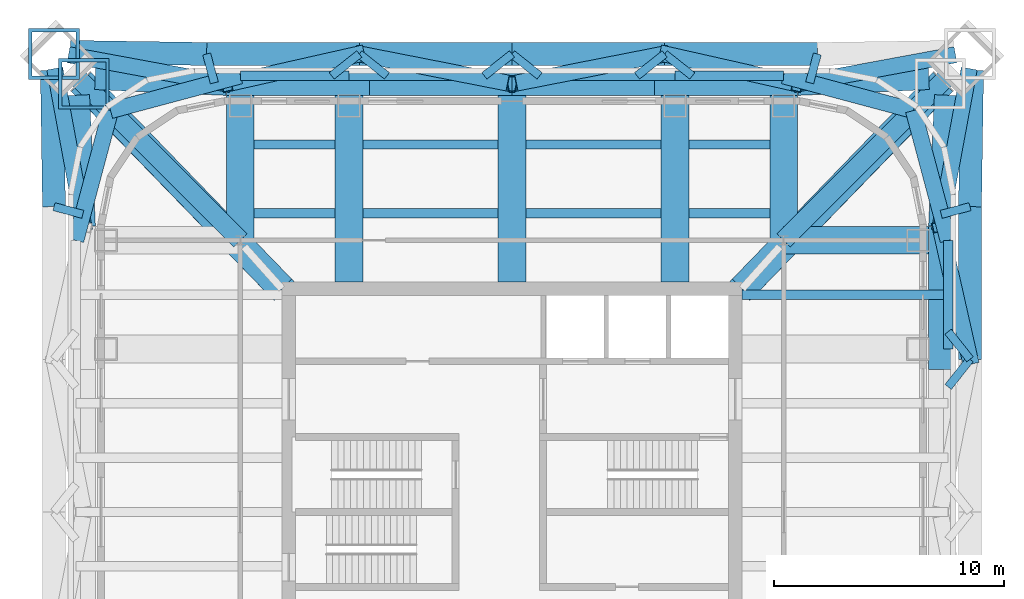
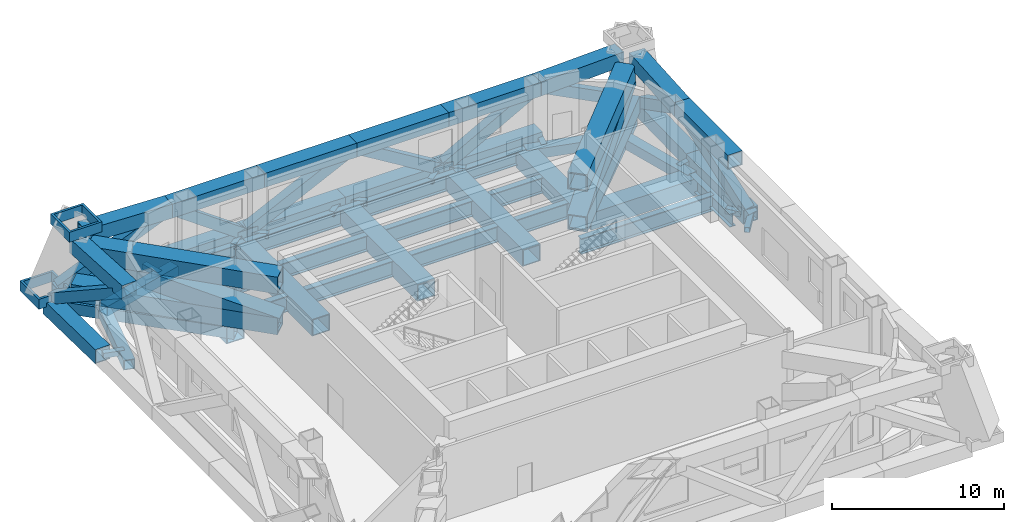
# One storey, part 3 of 9: 58 beams, 13 members.
"""IFC4 building model written with IfcOpenShell, lengths in metres."""

from ifc_helpers import new_model, si_unit, direction, frame, origin, origin_2d, place, context, subcontext, project, spatial, hollow_rectangle, i_section, extrude, material, material_profile, profile_set, type_object, element, save


model = new_model("IFC4")

# Units and contexts
model_context = context("Model", 3, precision=1e-05, world=origin(), true_north=direction((0.0, 1.0)))
body_context = subcontext(model_context, "Body", "Model", "MODEL_VIEW")
ifc_project = project(units=[si_unit("LENGTHUNIT", "METRE"), si_unit("AREAUNIT", "SQUARE_METRE"), si_unit("VOLUMEUNIT", "CUBIC_METRE"), si_unit("PLANEANGLEUNIT", "RADIAN"), si_unit("MASSUNIT", "GRAM", prefix="KILO")], contexts=[model_context])

# Site, building, storey
site_placement = place(None, origin())
site = spatial("IfcSite", under=ifc_project, at=site_placement, CompositionType="ELEMENT")
building_placement = place(site_placement, origin())
building = spatial("IfcBuilding", under=site, at=building_placement, Name="Turquesa Mirador Hotel Tower", CompositionType="ELEMENT")
storey_placement = place(building_placement, frame((0.0, 0.0, 221.300048828125)))
storey = spatial("IfcBuildingStorey", under=building, at=storey_placement, Name="L60", CompositionType="ELEMENT", Elevation=221.300048828125)

# Beams
ifc_material_1 = material(Name="Steel ASTM A572 Grade 50", Category="steel")
ifc_material_profile_1 = material_profile(ifc_material_1, hollow_rectangle(XDim=1.199951171875, YDim=1.199951171875, WallThickness=0.06005859375, at=origin_2d()), Name="BOX1200X1200X60")
ifc_profile_set_1 = profile_set([ifc_material_profile_1], Name="Steel ASTM A572 Grade 50")
beam_type_1 = type_object("IfcBeamType", Name="BEAM BOX1200X1200X60", PredefinedType="BEAM", material=ifc_profile_set_1)
for number, where, z_axis, x_axis, name in (
    (1, (47.919921875, 63.949951171875, -0.85009765625), (0.0, -1.0, 0.0), (1.0, 0.0, 0.0), "GD-L60-N--7.08"),
    (2, (62.080078125, 63.949951171875, -0.85009765625), (0.0, -1.0, 0.0), (1.0, 0.0, 0.0), "GD-L60-N-+7.08"),
    (3, (55.0, 63.949951171875, -0.85009765625), (0.0, -1.0, 0.0), (1.0, 0.0, 0.0), "GD-L60-N-+0.00"),
):
    element("IfcBeam", number, at=place(storey_placement, frame(where, z_axis=z_axis, x_axis=x_axis)), inside=storey, type_object=beam_type_1, Name=name, PredefinedType="BEAM", context=body_context, shape_type="SweptSolid", body=[
        extrude(hollow_rectangle(XDim=1.199951171875, YDim=1.199951171875, WallThickness=0.06005859375, at=origin_2d()), origin(), (0.0, 0.0, 1.0), 8.949951171875),
    ])
for number, where, z_axis, x_axis, name in (
    (4, (43.199951171875, 63.949951171875, -0.85009765625), (0.0, -1.0, 0.0), (1.0, 0.0, 0.0), "GK-L60-N--11.80"),
    (5, (66.800048828125, 63.949951171875, -0.85009765625), (0.0, -1.0, 0.0), (1.0, 0.0, 0.0), "GK-L60-N-+11.80"),
    (6, (73.949951171875, 56.800048828125, -0.85009765625), (-1.0, 0.0, 0.0), (0.0, -1.0, 0.0), "GK-L60-E-+11.80"),
):
    element("IfcBeam", number, at=place(storey_placement, frame(where, z_axis=z_axis, x_axis=x_axis)), inside=storey, type_object=beam_type_1, Name=name, PredefinedType="BEAM", context=body_context, shape_type="SweptSolid", body=[
        extrude(hollow_rectangle(XDim=1.199951171875, YDim=1.199951171875, WallThickness=0.06005859375, at=origin_2d()), origin(), (0.0, 0.0, 1.0), 7.14990234375),
    ])
ifc_material_2 = material(Name="Steel ASTM A572 Grade 50", Category="steel")
ifc_material_profile_2 = material_profile(ifc_material_2, hollow_rectangle(XDim=0.699951171875, YDim=0.699951171875, WallThickness=0.044921875, at=origin_2d()), Name="BOX700X700X45")
ifc_profile_set_2 = profile_set([ifc_material_profile_2], Name="Steel ASTM A572 Grade 50")
beam_type_2 = type_object("IfcBeamType", Name="BEAM BOX700X700X45", PredefinedType="BEAM", material=ifc_profile_set_2)
for number, where, z_axis, x_axis, name in (
    (7, (73.949951171875, 56.800048828125, -0.60009765625), (-0.258281892145, 0.966069595935, 0.0), (-0.966069595935, -0.258281892145, 0.0), "KE-L60-1-0"),
    (8, (72.441650390625, 62.441650390625, -0.60009765625), (-0.966069595935, 0.258281892145, 0.0), (-0.258281892145, -0.966069595935, 0.0), "KE-L60-1-1"),
    (9, (36.050048828125, 56.800048828125, -0.60009765625), (0.258281892145, 0.966069595935, 0.0), (-0.966069595935, 0.258281892145, 0.0), "KE-L60-2-0"),
    (10, (37.558349609375, 62.441650390625, -0.60009765625), (0.966069595935, 0.258281892145, 0.0), (-0.258281892145, 0.966069595935, 0.0), "KE-L60-2-1"),
):
    element("IfcBeam", number, at=place(storey_placement, frame(where, z_axis=z_axis, x_axis=x_axis)), inside=storey, type_object=beam_type_2, Name=name, PredefinedType="BEAM", context=body_context, shape_type="SweptSolid", body=[
        extrude(hollow_rectangle(XDim=0.699951171875, YDim=0.699951171875, WallThickness=0.044921875, at=origin_2d()), origin(), (0.0, 0.0, 1.0), 5.83984375),
    ])
ifc_material_3 = material(Name="Steel ASTM A572 Grade 50", Category="steel")
ifc_material_profile_3 = material_profile(ifc_material_3, hollow_rectangle(XDim=0.800048828125, YDim=0.800048828125, WallThickness=0.050048828125, at=origin_2d()), Name="BOX800X800X50")
ifc_profile_set_3 = profile_set([ifc_material_profile_3], Name="Steel ASTM A572 Grade 50")
beam_type_3 = type_object("IfcBeamType", Name="BEAM BOX800X800X50", PredefinedType="BEAM", material=ifc_profile_set_3)
for number, where, z_axis, x_axis, name in (
    (11, (66.800048828125, 56.800048828125, -0.650146484375), (0.707106781187, 0.707106781187, 0.0), (-0.707106781187, 0.707106781187, 0.0), "KD-L60-1"),
    (12, (43.199951171875, 56.800048828125, -0.650146484375), (-0.707106781187, 0.707106781187, 0.0), (-0.707106781187, -0.707106781187, 0.0), "KD-L60-2"),
):
    element("IfcBeam", number, at=place(storey_placement, frame(where, z_axis=z_axis, x_axis=x_axis)), inside=storey, type_object=beam_type_3, Name=name, PredefinedType="BEAM", context=body_context, shape_type="SweptSolid", body=[
        extrude(hollow_rectangle(XDim=0.800048828125, YDim=0.800048828125, WallThickness=0.050048828125, at=origin_2d()), origin(), (0.0, 0.0, 1.0), 10.080322265625),
    ])
ifc_material_4 = material(Name="Steel ASTM A992 Grade 50", Category="steel")
ifc_material_profile_4 = material_profile(ifc_material_4, i_section(OverallWidth=0.419189453125, OverallDepth=0.927001953125, WebThickness=0.019287109375, FlangeThickness=0.031982421875, at=origin_2d()), Name="W36X231")
ifc_profile_set_4 = profile_set([ifc_material_profile_4], Name="Steel ASTM A992 Grade 50")
beam_type_4 = type_object("IfcBeamType", Name="BEAM W36X231", PredefinedType="BEAM", material=ifc_profile_set_4)
for number, where, z_axis, x_axis, name in (
    (13, (43.199951171875, 63.949951171875, -0.713623046875), (1.0, 0.0, 0.0), (0.0, 1.0, 0.0), "EB-L60-N-L"),
    (14, (62.080078125, 63.949951171875, -0.713623046875), (1.0, 0.0, 0.0), (0.0, 1.0, 0.0), "EB-L60-N-R"),
    (15, (73.949951171875, 52.080078125, -0.713623046875), (0.0, 1.0, 0.0), (-1.0, 0.0, 0.0), "EB-L60-E-R"),
):
    element("IfcBeam", number, at=place(storey_placement, frame(where, z_axis=z_axis, x_axis=x_axis)), inside=storey, type_object=beam_type_4, Name=name, PredefinedType="BEAM", context=body_context, shape_type="SweptSolid", body=[
        extrude(i_section(OverallWidth=0.419189453125, OverallDepth=0.927001953125, WebThickness=0.019287109375, FlangeThickness=0.031982421875, at=origin_2d()), origin(), (0.0, 0.0, 1.0), 4.719970703125),
    ])
ifc_material_5 = material(Name="Steel ASTM A992 Grade 50", Category="steel")
ifc_material_profile_5 = material_profile(ifc_material_5, i_section(OverallWidth=0.40380859375, OverallDepth=1.11767578125, WebThickness=0.026123046875, FlangeThickness=0.044921875, at=origin_2d()), Name="W44X335")
ifc_profile_set_5 = profile_set([ifc_material_profile_5], Name="Steel ASTM A992 Grade 50")
beam_type_5 = type_object("IfcBeamType", Name="BEAM W44X335", PredefinedType="BEAM", material=ifc_profile_set_5)
beam_1_placement = place(storey_placement, frame((43.800048828125, 57.98291015625, -0.808837890625), z_axis=(1.0, 0.0, 0.0), x_axis=(0.0, 1.0, 0.0)))
element("IfcBeam", 16, at=beam_1_placement, inside=storey, type_object=beam_type_5, Name="IB-L60-N-1-0", PredefinedType="BEAM", context=body_context, shape_type="SweptSolid", body=[
    extrude(i_section(OverallWidth=0.40380859375, OverallDepth=1.11767578125, WebThickness=0.026123046875, FlangeThickness=0.044921875, at=origin_2d()), origin(), (0.0, 0.0, 1.0), 3.52001953125),
])
for number, where, z_axis, x_axis, name in (
    (17, (48.52001953125, 57.98291015625, -0.808837890625), (1.0, 0.0, 0.0), (0.0, 1.0, 0.0), "IB-L60-N-1-1"),
    (18, (55.60009765625, 57.98291015625, -0.808837890625), (1.0, 0.0, 0.0), (0.0, 1.0, 0.0), "IB-L60-N-1-2"),
):
    element("IfcBeam", number, at=place(storey_placement, frame(where, z_axis=z_axis, x_axis=x_axis)), inside=storey, type_object=beam_type_5, Name=name, PredefinedType="BEAM", context=body_context, shape_type="SweptSolid", body=[
        extrude(i_section(OverallWidth=0.40380859375, OverallDepth=1.11767578125, WebThickness=0.026123046875, FlangeThickness=0.044921875, at=origin_2d()), origin(), (0.0, 0.0, 1.0), 5.8798828125),
    ])
for number, where, z_axis, x_axis, name in (
    (19, (62.679931640625, 57.98291015625, -0.808837890625), (1.0, 0.0, 0.0), (0.0, 1.0, 0.0), "IB-L60-N-1-3"),
    (20, (43.800048828125, 60.967041015625, -0.808837890625), (1.0, 0.0, 0.0), (0.0, 1.0, 0.0), "IB-L60-N-2-0"),
):
    element("IfcBeam", number, at=place(storey_placement, frame(where, z_axis=z_axis, x_axis=x_axis)), inside=storey, type_object=beam_type_5, Name=name, PredefinedType="BEAM", context=body_context, shape_type="SweptSolid", body=[
        extrude(i_section(OverallWidth=0.40380859375, OverallDepth=1.11767578125, WebThickness=0.026123046875, FlangeThickness=0.044921875, at=origin_2d()), origin(), (0.0, 0.0, 1.0), 3.52001953125),
    ])
for number, where, z_axis, x_axis, name in (
    (21, (48.52001953125, 60.967041015625, -0.808837890625), (1.0, 0.0, 0.0), (0.0, 1.0, 0.0), "IB-L60-N-2-1"),
    (22, (55.60009765625, 60.967041015625, -0.808837890625), (1.0, 0.0, 0.0), (0.0, 1.0, 0.0), "IB-L60-N-2-2"),
):
    element("IfcBeam", number, at=place(storey_placement, frame(where, z_axis=z_axis, x_axis=x_axis)), inside=storey, type_object=beam_type_5, Name=name, PredefinedType="BEAM", context=body_context, shape_type="SweptSolid", body=[
        extrude(i_section(OverallWidth=0.40380859375, OverallDepth=1.11767578125, WebThickness=0.026123046875, FlangeThickness=0.044921875, at=origin_2d()), origin(), (0.0, 0.0, 1.0), 5.8798828125),
    ])
beam_2_placement = place(storey_placement, frame((62.679931640625, 60.967041015625, -0.808837890625), z_axis=(1.0, 0.0, 0.0), x_axis=(0.0, 1.0, 0.0)))
element("IfcBeam", 23, at=beam_2_placement, inside=storey, type_object=beam_type_5, Name="IB-L60-N-2-3", PredefinedType="BEAM", context=body_context, shape_type="SweptSolid", body=[
    extrude(i_section(OverallWidth=0.40380859375, OverallDepth=1.11767578125, WebThickness=0.026123046875, FlangeThickness=0.044921875, at=origin_2d()), origin(), (0.0, 0.0, 1.0), 3.52001953125),
])
beam_3_placement = place(storey_placement, frame((47.919921875, 63.949951171875, -0.808837890625), z_axis=(1.0, 0.0, 0.0), x_axis=(0.0, 1.0, 0.0)))
element("IfcBeam", 24, at=beam_3_placement, inside=storey, type_object=beam_type_5, Name="EB-L60-N-C", PredefinedType="BEAM", context=body_context, shape_type="SweptSolid", body=[
    extrude(i_section(OverallWidth=0.40380859375, OverallDepth=1.11767578125, WebThickness=0.026123046875, FlangeThickness=0.044921875, at=origin_2d()), origin(), (0.0, 0.0, 1.0), 14.16015625),
])
beam_4_placement = place(storey_placement, frame((73.949951171875, 54.43994140625, -0.808837890625), z_axis=(-1.0, 0.0, 0.0), x_axis=(0.0, -1.0, 0.0)))
element("IfcBeam", 25, at=beam_4_placement, inside=storey, type_object=beam_type_5, Name="BM-L60-E-+9.44", PredefinedType="BEAM", context=body_context, shape_type="SweptSolid", body=[
    extrude(i_section(OverallWidth=0.40380859375, OverallDepth=1.11767578125, WebThickness=0.026123046875, FlangeThickness=0.044921875, at=origin_2d()), origin(), (0.0, 0.0, 1.0), 8.949951171875),
])
ifc_material_6 = material(Name="Steel ASTM A572 Grade 50", Category="steel")
ifc_material_profile_6 = material_profile(ifc_material_6, hollow_rectangle(XDim=1.0, YDim=1.0, WallThickness=0.06005859375, at=origin_2d()), Name="BOX1000X1000X60")
ifc_profile_set_6 = profile_set([ifc_material_profile_6], Name="Steel ASTM A572 Grade 50")
beam_type_6 = type_object("IfcBeamType", Name="BELT TRUSS CHORD BOX1000X1000X60", PredefinedType="BEAM", material=ifc_profile_set_6)
beam_5_placement = place(storey_placement, frame((35.805419921875, 64.99072265625, -0.427734375), z_axis=(0.999882659941, -0.015318823339, 0.0), x_axis=(0.015318823339, 0.999882659941, 0.0)))
element("IfcBeam", 26, at=beam_5_placement, inside=storey, type_object=beam_type_6, Name="Belt truss bottom chord N", PredefinedType="BEAM", context=body_context, shape_type="SweptSolid", body=[
    extrude(hollow_rectangle(XDim=1.0, YDim=1.0, WallThickness=0.06005859375, at=origin_2d()), origin(), (0.0, 0.0, 1.0), 5.9287109375),
])
beam_6_placement = place(storey_placement, frame((36.889892578125, 63.854248046875, 4.199951171875), z_axis=(0.999010983591, -0.044464082856, 0.0), x_axis=(0.044464082856, 0.999010983591, 0.0)))
element("IfcBeam", 27, at=beam_6_placement, inside=storey, type_object=beam_type_6, Name="Belt truss top chord N", PredefinedType="BEAM", context=body_context, shape_type="SweptSolid", body=[
    extrude(hollow_rectangle(XDim=1.0, YDim=1.0, WallThickness=0.06005859375, at=origin_2d()), origin(), (0.0, 0.0, 1.0), 5.7158203125),
])
beam_7_placement = place(storey_placement, frame((41.7333984375, 64.89990234375, -0.427734375), z_axis=(1.0, 0.0, 0.0), x_axis=(0.0, 1.0, 0.0)))
element("IfcBeam", 28, at=beam_7_placement, inside=storey, type_object=beam_type_6, Name="Belt truss bottom chord N", PredefinedType="BEAM", context=body_context, shape_type="SweptSolid", body=[
    extrude(hollow_rectangle(XDim=1.0, YDim=1.0, WallThickness=0.06005859375, at=origin_2d()), origin(), (0.0, 0.0, 1.0), 6.63330078125),
])
beam_8_placement = place(storey_placement, frame((42.60009765625, 63.60009765625, 4.199951171875), z_axis=(1.0, 0.0, 0.0), x_axis=(0.0, 1.0, 0.0)))
element("IfcBeam", 29, at=beam_8_placement, inside=storey, type_object=beam_type_6, Name="Belt truss top chord N", PredefinedType="BEAM", context=body_context, shape_type="SweptSolid", body=[
    extrude(hollow_rectangle(XDim=1.0, YDim=1.0, WallThickness=0.06005859375, at=origin_2d()), origin(), (0.0, 0.0, 1.0), 6.199951171875),
])
beam_9_placement = place(storey_placement, frame((48.36669921875, 64.89990234375, -0.427734375), z_axis=(1.0, 0.0, 0.0), x_axis=(0.0, 1.0, 0.0)))
element("IfcBeam", 30, at=beam_9_placement, inside=storey, type_object=beam_type_6, Name="Belt truss bottom chord N", PredefinedType="BEAM", context=body_context, shape_type="SweptSolid", body=[
    extrude(hollow_rectangle(XDim=1.0, YDim=1.0, WallThickness=0.06005859375, at=origin_2d()), origin(), (0.0, 0.0, 1.0), 6.63330078125),
])
beam_10_placement = place(storey_placement, frame((48.800048828125, 63.60009765625, 4.199951171875), z_axis=(1.0, 0.0, 0.0), x_axis=(0.0, 1.0, 0.0)))
element("IfcBeam", 31, at=beam_10_placement, inside=storey, type_object=beam_type_6, Name="Belt truss top chord N", PredefinedType="BEAM", context=body_context, shape_type="SweptSolid", body=[
    extrude(hollow_rectangle(XDim=1.0, YDim=1.0, WallThickness=0.06005859375, at=origin_2d()), origin(), (0.0, 0.0, 1.0), 6.199951171875),
])
beam_11_placement = place(storey_placement, frame((55.0, 64.89990234375, -0.427734375), z_axis=(1.0, 0.0, 0.0), x_axis=(0.0, 1.0, 0.0)))
element("IfcBeam", 32, at=beam_11_placement, inside=storey, type_object=beam_type_6, Name="Belt truss bottom chord N", PredefinedType="BEAM", context=body_context, shape_type="SweptSolid", body=[
    extrude(hollow_rectangle(XDim=1.0, YDim=1.0, WallThickness=0.06005859375, at=origin_2d()), origin(), (0.0, 0.0, 1.0), 6.63330078125),
])
beam_12_placement = place(storey_placement, frame((55.0, 63.60009765625, 4.199951171875), z_axis=(1.0, 0.0, 0.0), x_axis=(0.0, 1.0, 0.0)))
element("IfcBeam", 33, at=beam_12_placement, inside=storey, type_object=beam_type_6, Name="Belt truss top chord N", PredefinedType="BEAM", context=body_context, shape_type="SweptSolid", body=[
    extrude(hollow_rectangle(XDim=1.0, YDim=1.0, WallThickness=0.06005859375, at=origin_2d()), origin(), (0.0, 0.0, 1.0), 6.199951171875),
])
beam_13_placement = place(storey_placement, frame((61.63330078125, 64.89990234375, -0.427734375), z_axis=(1.0, 0.0, 0.0), x_axis=(0.0, 1.0, 0.0)))
element("IfcBeam", 34, at=beam_13_placement, inside=storey, type_object=beam_type_6, Name="Belt truss bottom chord N", PredefinedType="BEAM", context=body_context, shape_type="SweptSolid", body=[
    extrude(hollow_rectangle(XDim=1.0, YDim=1.0, WallThickness=0.06005859375, at=origin_2d()), origin(), (0.0, 0.0, 1.0), 6.63330078125),
])
beam_14_placement = place(storey_placement, frame((61.199951171875, 63.60009765625, 4.199951171875), z_axis=(1.0, 0.0, 0.0), x_axis=(0.0, 1.0, 0.0)))
element("IfcBeam", 35, at=beam_14_placement, inside=storey, type_object=beam_type_6, Name="Belt truss top chord N", PredefinedType="BEAM", context=body_context, shape_type="SweptSolid", body=[
    extrude(hollow_rectangle(XDim=1.0, YDim=1.0, WallThickness=0.06005859375, at=origin_2d()), origin(), (0.0, 0.0, 1.0), 6.199951171875),
])
beam_15_placement = place(storey_placement, frame((67.39990234375, 63.60009765625, 4.199951171875), z_axis=(0.999010983591, 0.044464082856, 0.0), x_axis=(-0.044464082856, 0.999010983591, 0.0)))
element("IfcBeam", 36, at=beam_15_placement, inside=storey, type_object=beam_type_6, Name="Belt truss top chord N", PredefinedType="BEAM", context=body_context, shape_type="SweptSolid", body=[
    extrude(hollow_rectangle(XDim=1.0, YDim=1.0, WallThickness=0.06005859375, at=origin_2d()), origin(), (0.0, 0.0, 1.0), 5.7158203125),
])
beam_16_placement = place(storey_placement, frame((74.89990234375, 51.63330078125, -0.427734375), z_axis=(0.0, 1.0, 0.0), x_axis=(-1.0, 0.0, 0.0)))
element("IfcBeam", 37, at=beam_16_placement, inside=storey, type_object=beam_type_6, Name="Belt truss bottom chord E", PredefinedType="BEAM", context=body_context, shape_type="SweptSolid", body=[
    extrude(hollow_rectangle(XDim=1.0, YDim=1.0, WallThickness=0.06005859375, at=origin_2d()), origin(), (0.0, 0.0, 1.0), 6.63330078125),
])
beam_17_placement = place(storey_placement, frame((73.60009765625, 51.199951171875, 4.199951171875), z_axis=(0.0, 1.0, 0.0), x_axis=(-1.0, 0.0, 0.0)))
element("IfcBeam", 38, at=beam_17_placement, inside=storey, type_object=beam_type_6, Name="Belt truss top chord E", PredefinedType="BEAM", context=body_context, shape_type="SweptSolid", body=[
    extrude(hollow_rectangle(XDim=1.0, YDim=1.0, WallThickness=0.06005859375, at=origin_2d()), origin(), (0.0, 0.0, 1.0), 6.199951171875),
])
beam_18_placement = place(storey_placement, frame((74.89990234375, 58.2666015625, -0.427734375), z_axis=(0.015318823339, 0.999882659941, 0.0), x_axis=(-0.999882659941, 0.015318823339, 0.0)))
element("IfcBeam", 39, at=beam_18_placement, inside=storey, type_object=beam_type_6, Name="Belt truss bottom chord E", PredefinedType="BEAM", context=body_context, shape_type="SweptSolid", body=[
    extrude(hollow_rectangle(XDim=1.0, YDim=1.0, WallThickness=0.06005859375, at=origin_2d()), origin(), (0.0, 0.0, 1.0), 5.9287109375),
])
beam_19_placement = place(storey_placement, frame((73.60009765625, 57.39990234375, 4.199951171875), z_axis=(0.044464082856, 0.999010983591, 0.0), x_axis=(-0.999010983591, 0.044464082856, 0.0)))
element("IfcBeam", 40, at=beam_19_placement, inside=storey, type_object=beam_type_6, Name="Belt truss top chord E", PredefinedType="BEAM", context=body_context, shape_type="SweptSolid", body=[
    extrude(hollow_rectangle(XDim=1.0, YDim=1.0, WallThickness=0.06005859375, at=origin_2d()), origin(), (0.0, 0.0, 1.0), 5.7158203125),
])
beam_20_placement = place(storey_placement, frame((35.10009765625, 58.2666015625, -0.427734375), z_axis=(-0.015318823339, 0.999882659941, 0.0), x_axis=(-0.999882659941, -0.015318823339, 0.0)))
element("IfcBeam", 41, at=beam_20_placement, inside=storey, type_object=beam_type_6, Name="Belt truss bottom chord W", PredefinedType="BEAM", context=body_context, shape_type="SweptSolid", body=[
    extrude(hollow_rectangle(XDim=1.0, YDim=1.0, WallThickness=0.06005859375, at=origin_2d()), origin(), (0.0, 0.0, 1.0), 5.9287109375),
])
beam_21_placement = place(storey_placement, frame((36.39990234375, 57.39990234375, 4.199951171875), z_axis=(-0.044464082856, 0.999010983591, 0.0), x_axis=(-0.999010983591, -0.044464082856, 0.0)))
element("IfcBeam", 42, at=beam_21_placement, inside=storey, type_object=beam_type_6, Name="Belt truss top chord W", PredefinedType="BEAM", context=body_context, shape_type="SweptSolid", body=[
    extrude(hollow_rectangle(XDim=1.0, YDim=1.0, WallThickness=0.06005859375, at=origin_2d()), origin(), (0.0, 0.0, 1.0), 5.7158203125),
])

# Members
ifc_material_7 = material(Name="Steel ASTM A572 Grade 50", Category="steel")
ifc_material_profile_7 = material_profile(ifc_material_7, hollow_rectangle(XDim=0.699951171875, YDim=0.699951171875, WallThickness=0.044921875, at=origin_2d()), Name="BOX700X700X45")
ifc_profile_set_7 = profile_set([ifc_material_profile_7], Name="Steel ASTM A572 Grade 50")
member_type_1 = type_object("IfcMemberType", Name="BELT TRUSS DIAGONAL BOX700X700X45", PredefinedType="BRACE", material=ifc_profile_set_7)
member_1_placement = place(storey_placement, frame((35.909423828125, 64.834716796875, 0.12744140625), z_axis=(0.843784939461, -0.15570226013, 0.513598853317), x_axis=(0.181464729903, 0.983397453628, 0.0)))
element("IfcMember", 43, at=member_1_placement, inside=storey, type_object=member_type_1, Name="Belt truss diagonal N", PredefinedType="BRACE", context=body_context, shape_type="SweptSolid", body=[
    extrude(hollow_rectangle(XDim=0.699951171875, YDim=0.699951171875, WallThickness=0.044921875, at=origin_2d()), origin(), (0.0, 0.0, 1.0), 7.929443359375),
])
member_2_placement = place(storey_placement, frame((42.60009765625, 63.60009765625, 4.199951171875), z_axis=(0.768138651357, 0.173140143092, -0.61642964168), x_axis=(-0.219885630944, 0.975525657943, 0.0)))
element("IfcMember", 44, at=member_2_placement, inside=storey, type_object=member_type_1, Name="Belt truss diagonal N", PredefinedType="BRACE", context=body_context, shape_type="SweptSolid", body=[
    extrude(hollow_rectangle(XDim=0.699951171875, YDim=0.699951171875, WallThickness=0.044921875, at=origin_2d()), origin(), (0.0, 0.0, 1.0), 7.50732421875),
])
for number, where, z_axis, x_axis, name in (
    (45, (48.36669921875, 64.89990234375, -0.427734375), (0.809748520039, -0.158671369919, 0.564916569648), (0.19229443008, 0.981337277474, 0.0), "Belt truss diagonal N"),
    (46, (55.0, 63.60009765625, 4.199951171875), (0.809748520039, 0.158671369919, -0.564916569648), (-0.19229443008, 0.981337277474, 0.0), "Belt truss diagonal N"),
):
    element("IfcMember", number, at=place(storey_placement, frame(where, z_axis=z_axis, x_axis=x_axis)), inside=storey, type_object=member_type_1, Name=name, PredefinedType="BRACE", context=body_context, shape_type="SweptSolid", body=[
        extrude(hollow_rectangle(XDim=0.699951171875, YDim=0.699951171875, WallThickness=0.044921875, at=origin_2d()), origin(), (0.0, 0.0, 1.0), 8.19189453125),
    ])
member_3_placement = place(storey_placement, frame((61.63330078125, 64.89990234375, -0.427734375), z_axis=(0.768138651357, -0.173140143092, 0.61642964168), x_axis=(0.219885630944, 0.975525657943, 0.0)))
element("IfcMember", 47, at=member_3_placement, inside=storey, type_object=member_type_1, Name="Belt truss diagonal N", PredefinedType="BRACE", context=body_context, shape_type="SweptSolid", body=[
    extrude(hollow_rectangle(XDim=0.699951171875, YDim=0.699951171875, WallThickness=0.044921875, at=origin_2d()), origin(), (0.0, 0.0, 1.0), 7.50732421875),
])
member_4_placement = place(storey_placement, frame((67.39990234375, 63.60009765625, 4.199951171875), z_axis=(0.843784939461, 0.15570226013, -0.513598853317), x_axis=(-0.181464729903, 0.983397453628, 0.0)))
element("IfcMember", 48, at=member_4_placement, inside=storey, type_object=member_type_1, Name="Belt truss diagonal N", PredefinedType="BRACE", context=body_context, shape_type="SweptSolid", body=[
    extrude(hollow_rectangle(XDim=0.699951171875, YDim=0.699951171875, WallThickness=0.044921875, at=origin_2d()), origin(), (0.0, 0.0, 1.0), 7.929443359375),
])
member_5_placement = place(storey_placement, frame((74.89990234375, 51.63330078125, -0.427734375), z_axis=(-0.173140143092, 0.768138651357, 0.61642964168), x_axis=(-0.975525657943, -0.219885630944, 0.0)))
element("IfcMember", 49, at=member_5_placement, inside=storey, type_object=member_type_1, Name="Belt truss diagonal E", PredefinedType="BRACE", context=body_context, shape_type="SweptSolid", body=[
    extrude(hollow_rectangle(XDim=0.699951171875, YDim=0.699951171875, WallThickness=0.044921875, at=origin_2d()), origin(), (0.0, 0.0, 1.0), 7.50732421875),
])
for number, where, z_axis, x_axis, name in (
    (50, (73.60009765625, 57.39990234375, 4.199951171875), (0.15570226013, 0.843784939461, -0.513598853317), (-0.983397453628, 0.181464729903, 0.0), "Belt truss diagonal E"),
    (51, (36.39990234375, 57.39990234375, 4.199951171875), (-0.15570226013, 0.843784939461, -0.513598853317), (-0.983397453628, -0.181464729903, 0.0), "Belt truss diagonal W"),
):
    element("IfcMember", number, at=place(storey_placement, frame(where, z_axis=z_axis, x_axis=x_axis)), inside=storey, type_object=member_type_1, Name=name, PredefinedType="BRACE", context=body_context, shape_type="SweptSolid", body=[
        extrude(hollow_rectangle(XDim=0.699951171875, YDim=0.699951171875, WallThickness=0.044921875, at=origin_2d()), origin(), (0.0, 0.0, 1.0), 7.929443359375),
    ])

# Beams
ifc_material_8 = material(Name="Steel ASTM A500 Grade C", Category="steel")
ifc_material_profile_8 = material_profile(ifc_material_8, hollow_rectangle(XDim=0.355712890625, YDim=0.355712890625, WallThickness=0.0146484375, at=origin_2d()), Name="HSS14X14X5/8")
ifc_profile_set_8 = profile_set([ifc_material_profile_8], Name="Steel ASTM A500 Grade C")
beam_type_7 = type_object("IfcBeamType", Name="BRACE STRUT HSS14X14X5/8", PredefinedType="BEAM", material=ifc_profile_set_8)
beam_22_placement = place(storey_placement, frame((41.7333984375, 64.89990234375, -0.427734375), z_axis=(0.258365826948, -0.966047151782, 0.0), x_axis=(0.966047151782, 0.258365826948, 0.0)))
element("IfcBeam", 52, at=beam_22_placement, inside=storey, type_object=beam_type_7, Name="Brace strut", PredefinedType="BEAM", context=body_context, shape_type="SweptSolid", body=[
    extrude(hollow_rectangle(XDim=0.355712890625, YDim=0.355712890625, WallThickness=0.0146484375, at=origin_2d()), origin(), (0.0, 0.0, 1.0), 1.29638671875),
])
for number, where, z_axis, x_axis, name in (
    (53, (48.36669921875, 64.89990234375, -0.427734375), (-0.784049059149, -0.620698858423, 0.0), (0.620698858423, -0.784049059149, 0.0), "Brace strut"),
    (54, (48.36669921875, 64.89990234375, -0.427734375), (0.784049059149, -0.620698858423, 0.0), (0.620698858423, 0.784049059149, 0.0), "Brace strut"),
    (55, (55.0, 64.89990234375, -0.427734375), (-0.784049059149, -0.620698858423, 0.0), (0.620698858423, -0.784049059149, 0.0), "Brace strut"),
    (56, (55.0, 64.89990234375, -0.427734375), (0.784049059149, -0.620698858423, 0.0), (0.620698858423, 0.784049059149, 0.0), "Brace strut"),
    (57, (61.63330078125, 64.89990234375, -0.427734375), (-0.784049059149, -0.620698858423, 0.0), (0.620698858423, -0.784049059149, 0.0), "Brace strut"),
    (58, (61.63330078125, 64.89990234375, -0.427734375), (0.784049059149, -0.620698858423, 0.0), (0.620698858423, 0.784049059149, 0.0), "Brace strut"),
):
    element("IfcBeam", number, at=place(storey_placement, frame(where, z_axis=z_axis, x_axis=x_axis)), inside=storey, type_object=beam_type_7, Name=name, PredefinedType="BEAM", context=body_context, shape_type="SweptSolid", body=[
        extrude(hollow_rectangle(XDim=0.355712890625, YDim=0.355712890625, WallThickness=0.0146484375, at=origin_2d()), origin(), (0.0, 0.0, 1.0), 1.530517578125),
    ])
beam_23_placement = place(storey_placement, frame((68.2666015625, 64.89990234375, -0.427734375), z_axis=(-0.258365826948, -0.966047151782, 0.0), x_axis=(0.966047151782, -0.258365826948, 0.0)))
element("IfcBeam", 59, at=beam_23_placement, inside=storey, type_object=beam_type_7, Name="Brace strut", PredefinedType="BEAM", context=body_context, shape_type="SweptSolid", body=[
    extrude(hollow_rectangle(XDim=0.355712890625, YDim=0.355712890625, WallThickness=0.0146484375, at=origin_2d()), origin(), (0.0, 0.0, 1.0), 1.29638671875),
])
for number, where, z_axis, x_axis, name in (
    (60, (74.89990234375, 51.63330078125, -0.427734375), (-0.620698858423, -0.784049059149, 0.0), (0.784049059149, -0.620698858423, 0.0), "Brace strut"),
    (61, (74.89990234375, 51.63330078125, -0.427734375), (-0.620698858423, 0.784049059149, 0.0), (-0.784049059149, -0.620698858423, 0.0), "Brace strut"),
):
    element("IfcBeam", number, at=place(storey_placement, frame(where, z_axis=z_axis, x_axis=x_axis)), inside=storey, type_object=beam_type_7, Name=name, PredefinedType="BEAM", context=body_context, shape_type="SweptSolid", body=[
        extrude(hollow_rectangle(XDim=0.355712890625, YDim=0.355712890625, WallThickness=0.0146484375, at=origin_2d()), origin(), (0.0, 0.0, 1.0), 1.530517578125),
    ])
for number, where, z_axis, x_axis, name in (
    (62, (74.89990234375, 58.2666015625, -0.427734375), (-0.966047151782, -0.258365826948, 0.0), (0.258365826948, -0.966047151782, 0.0), "Brace strut"),
    (63, (35.10009765625, 58.2666015625, -0.427734375), (0.966047151782, -0.258365826948, 0.0), (0.258365826948, 0.966047151782, 0.0), "Brace strut"),
):
    element("IfcBeam", number, at=place(storey_placement, frame(where, z_axis=z_axis, x_axis=x_axis)), inside=storey, type_object=beam_type_7, Name=name, PredefinedType="BEAM", context=body_context, shape_type="SweptSolid", body=[
        extrude(hollow_rectangle(XDim=0.355712890625, YDim=0.355712890625, WallThickness=0.0146484375, at=origin_2d()), origin(), (0.0, 0.0, 1.0), 1.29638671875),
    ])

# Members
ifc_material_9 = material(Name="Cast steel ASTM A958 Grade SC8620 Class 80/50", Category="steel")
ifc_material_profile_9 = material_profile(ifc_material_9, hollow_rectangle(XDim=2.199951171875, YDim=2.199951171875, WallThickness=0.14990234375, at=origin_2d()), Name="NODE2200X2200X150")
ifc_profile_set_9 = profile_set([ifc_material_profile_9], Name="Cast steel ASTM A958 Grade SC8620 Class 80/50")
member_type_2 = type_object("IfcMemberType", Name="MEGA COLUMN NODE NODE2200X2200X150", PredefinedType="USERDEFINED", material=ifc_profile_set_9)
for number, where, z_axis, x_axis, name in (
    (64, (35.10009765625, 64.89990234375, -0.201904296875), (0.0, 0.0, 1.0), (1.0, 0.0, 0.0), "Mega column node M2 base"),
    (65, (36.39990234375, 63.60009765625, 4.889892578125), (0.0, 0.0, 1.0), (1.0, 0.0, 0.0), "Mega column node M2 head"),
):
    element("IfcMember", number, at=place(storey_placement, frame(where, z_axis=z_axis, x_axis=x_axis)), inside=storey, type_object=member_type_2, Name=name, ObjectType="MEGA COLUMN NODE", PredefinedType="USERDEFINED", context=body_context, shape_type="SweptSolid", body=[
        extrude(hollow_rectangle(XDim=2.199951171875, YDim=2.199951171875, WallThickness=0.14990234375, at=origin_2d()), origin(), (0.0, 0.0, 1.0), 0.7119140625),
    ])

# Beams
ifc_material_10 = material(Name="Steel ASTM A572 Grade 50", Category="steel")
ifc_material_profile_10 = material_profile(ifc_material_10, hollow_rectangle(XDim=1.199951171875, YDim=1.199951171875, WallThickness=0.080078125, at=origin_2d()), Name="BOX1200X1200X80")
ifc_profile_set_10 = profile_set([ifc_material_profile_10], Name="Steel ASTM A572 Grade 50")
beam_type_8 = type_object("IfcBeamType", Name="OUTRIGGER CHORD BOX1200X1200X80", PredefinedType="BEAM", material=ifc_profile_set_10)
beam_24_placement = place(storey_placement, frame((65.0, 54.699951171875, 0.64990234375), z_axis=(0.696299488255, 0.717751365485, 0.0), x_axis=(-0.717751365485, 0.696299488255, 0.0)))
element("IfcBeam", 66, at=beam_24_placement, inside=storey, type_object=beam_type_8, Name="Outrigger bottom chord 1", PredefinedType="BEAM", context=body_context, shape_type="SweptSolid", body=[
    extrude(hollow_rectangle(XDim=1.199951171875, YDim=1.199951171875, WallThickness=0.080078125, at=origin_2d()), origin(), (0.0, 0.0, 1.0), 12.5302734375),
])
beam_25_placement = place(storey_placement, frame((65.0, 54.699951171875, 3.550048828125), z_axis=(0.695476731593, 0.718548617571, 0.0), x_axis=(-0.718548617571, 0.695476731593, 0.0)))
element("IfcBeam", 67, at=beam_25_placement, inside=storey, type_object=beam_type_8, Name="Outrigger top chord 1", PredefinedType="BEAM", context=body_context, shape_type="SweptSolid", body=[
    extrude(hollow_rectangle(XDim=1.199951171875, YDim=1.199951171875, WallThickness=0.080078125, at=origin_2d()), origin(), (0.0, 0.0, 1.0), 11.544677734375),
])
beam_26_placement = place(storey_placement, frame((45.0, 54.699951171875, 0.64990234375), z_axis=(-0.696299488255, 0.717751365485, 0.0), x_axis=(-0.717751365485, -0.696299488255, 0.0)))
element("IfcBeam", 68, at=beam_26_placement, inside=storey, type_object=beam_type_8, Name="Outrigger bottom chord 2", PredefinedType="BEAM", context=body_context, shape_type="SweptSolid", body=[
    extrude(hollow_rectangle(XDim=1.199951171875, YDim=1.199951171875, WallThickness=0.080078125, at=origin_2d()), origin(), (0.0, 0.0, 1.0), 12.5302734375),
])
beam_27_placement = place(storey_placement, frame((45.0, 54.699951171875, 3.550048828125), z_axis=(-0.695476731593, 0.718548617571, 0.0), x_axis=(-0.718548617571, -0.695476731593, 0.0)))
element("IfcBeam", 69, at=beam_27_placement, inside=storey, type_object=beam_type_8, Name="Outrigger top chord 2", PredefinedType="BEAM", context=body_context, shape_type="SweptSolid", body=[
    extrude(hollow_rectangle(XDim=1.199951171875, YDim=1.199951171875, WallThickness=0.080078125, at=origin_2d()), origin(), (0.0, 0.0, 1.0), 11.544677734375),
])

# Members
ifc_material_11 = material(Name="Steel ASTM A572 Grade 50", Category="steel")
ifc_material_profile_11 = material_profile(ifc_material_11, hollow_rectangle(XDim=1.199951171875, YDim=1.199951171875, WallThickness=0.080078125, at=origin_2d()), Name="BOX1200X1200X80")
ifc_profile_set_11 = profile_set([ifc_material_profile_11], Name="Steel ASTM A572 Grade 50")
member_type_3 = type_object("IfcMemberType", Name="OUTRIGGER DIAGONAL BOX1200X1200X80", PredefinedType="BRACE", material=ifc_profile_set_11)
for number, where, z_axis, x_axis, name in (
    (70, (65.0, 54.699951171875, 0.64990234375), (0.678806441121, 0.701325303506, 0.21763417506), (-0.718548617571, 0.695476731593, 0.0), "Outrigger diagonal 1"),
    (71, (45.0, 54.699951171875, 0.64990234375), (-0.678806441121, 0.701325303506, 0.21763417506), (-0.718548617571, -0.695476731593, 0.0), "Outrigger diagonal 2"),
):
    element("IfcMember", number, at=place(storey_placement, frame(where, z_axis=z_axis, x_axis=x_axis)), inside=storey, type_object=member_type_3, Name=name, PredefinedType="BRACE", context=body_context, shape_type="SweptSolid", body=[
        extrude(hollow_rectangle(XDim=1.199951171875, YDim=1.199951171875, WallThickness=0.080078125, at=origin_2d()), origin(), (0.0, 0.0, 1.0), 11.828125),
    ])

save(model, "model.ifc")
